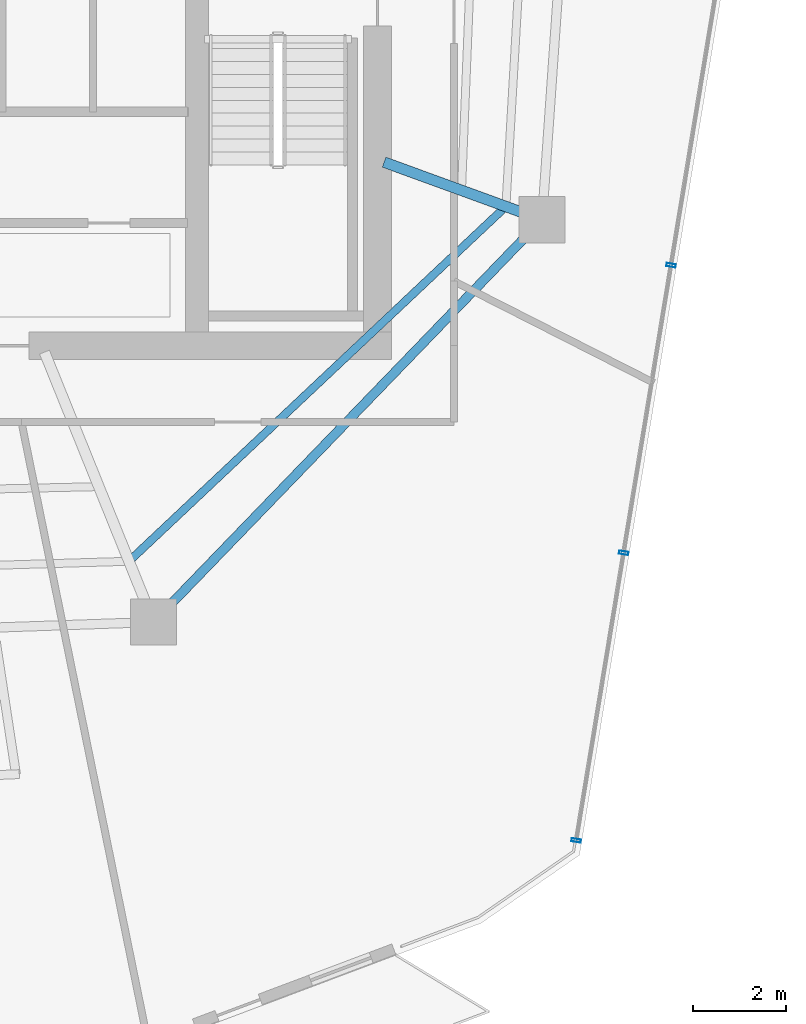
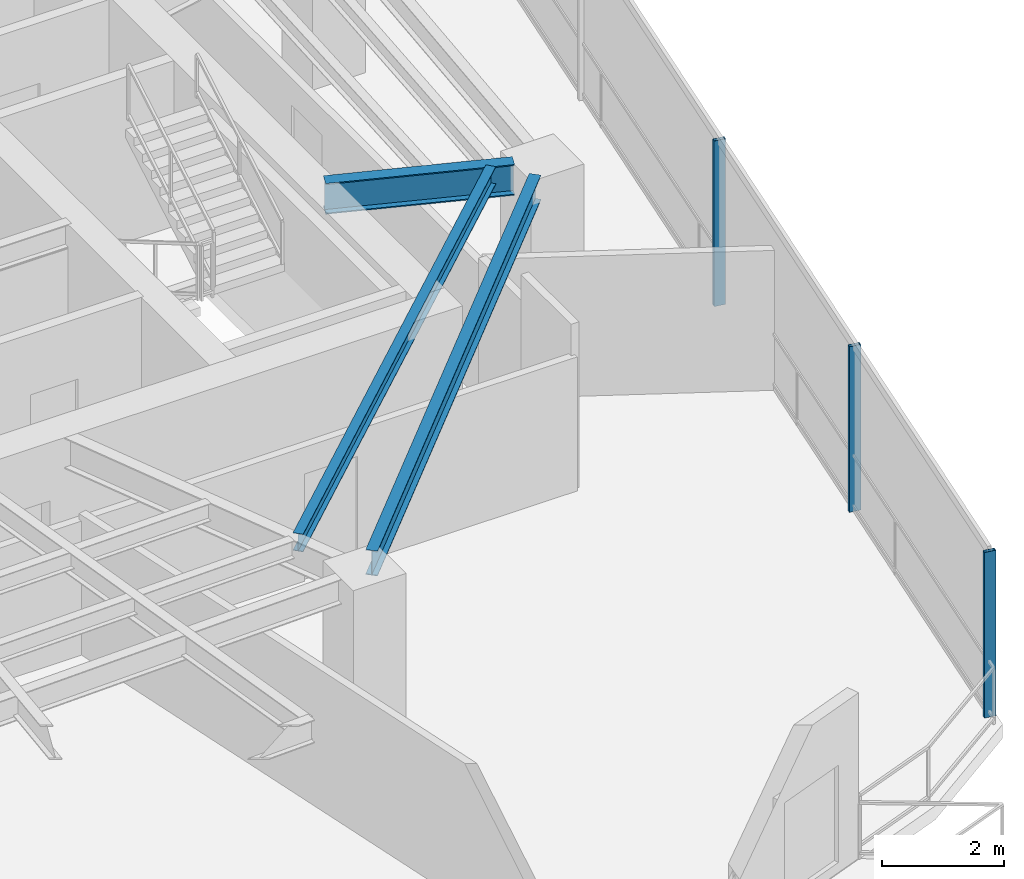
# One storey, part 7 of 19: 3 beams, 3 members, 1 element without a shape of its own.
"""IFC4 building model written with IfcOpenShell, lengths in metres."""

import ifcopenshell
import ifcopenshell.guid

model = None  # the IFC model being written
_history = None  # IfcOwnerHistory: only IFC2X3 demands one
_inside = {}  # id of a spatial element -> (the spatial element, [elements in it])
_under = {}  # id of a project, library or spatial element -> (it, [spatial elements below it])
_declared = {}  # id of a project -> (the project, [libraries it declares])
_typed = {}  # id of a type object -> (the type object, [elements of that type])
_made_of = {}  # id of a material, layer set ... -> (it, [elements and type objects made of it])


def new_model(schema):
    """Start an empty IFC model of exactly this schema.

    Asked for "IFC4X3", IfcOpenShell would pick the latest addendum, in which some entities
    have other attributes; the version numbers below select the first issue.
    IFC2X3 requires an IfcOwnerHistory on every rooted entity: one is made here for all.
    """
    global model, _history
    if schema == "IFC4X3":
        model = ifcopenshell.file(schema_version=(4, 3, 0, 0))
    else:
        model = ifcopenshell.file(schema=schema)
    _inside.clear()
    _under.clear()
    _declared.clear()
    _typed.clear()
    _made_of.clear()
    _history = None
    if model.schema == "IFC2X3":
        org = make("IfcOrganization", Name="unknown")
        user = make(
            "IfcPersonAndOrganization",
            ThePerson=make("IfcPerson", FamilyName="unknown"),
            TheOrganization=org,
        )
        app = make(
            "IfcApplication",
            ApplicationDeveloper=org,
            Version="unknown",
            ApplicationFullName="unknown",
            ApplicationIdentifier="unknown",
        )
        _history = make(
            "IfcOwnerHistory",
            OwningUser=user,
            OwningApplication=app,
            ChangeAction="ADDED",
            CreationDate=0,
        )
    return model


def make(cls, **values):
    """One entity of the class cls with the attributes given. An attribute that is None is left unset."""
    return model.create_entity(
        cls, **{name: value for name, value in values.items() if value is not None}
    )


def rooted(cls, **values):
    """An entity with a GlobalId (a new one), such as an element, a storey or a relation."""
    return make(cls, GlobalId=ifcopenshell.guid.new(), OwnerHistory=_history, **values)


def si_unit(unit_type, name, prefix=None):
    """IfcSIUnit, for example si_unit("LENGTHUNIT", "METRE", prefix="MILLI")."""
    return make("IfcSIUnit", UnitType=unit_type, Prefix=prefix, Name=name)


def assignment(units):
    """IfcUnitAssignment: the units of a project."""
    return None if units is None else make("IfcUnitAssignment", Units=units)


def point(xyz):
    """IfcCartesianPoint."""
    return None if xyz is None else make("IfcCartesianPoint", Coordinates=xyz)


def direction(xyz):
    """IfcDirection."""
    return None if xyz is None else make("IfcDirection", DirectionRatios=xyz)


def frame(location, z_axis=None, x_axis=None):
    """IfcAxis2Placement3D, a coordinate frame: its origin and axes. An axis left out is left unset."""
    return make(
        "IfcAxis2Placement3D",
        Location=point(location),
        Axis=direction(z_axis),
        RefDirection=direction(x_axis),
    )


def frame_2d(location, x_axis=None):
    """IfcAxis2Placement2D, a coordinate frame in the plane: its origin and x axis."""
    return make(
        "IfcAxis2Placement2D", Location=point(location), RefDirection=direction(x_axis)
    )


def origin():
    """The frame at (0, 0, 0) with its axes left unset."""
    return frame((0.0, 0.0, 0.0))


def origin_2d():
    """The frame at (0, 0) in the plane with its x axis left unset."""
    return frame_2d((0.0, 0.0))


def place(relative_to, where):
    """IfcLocalPlacement: puts the frame where relative to a parent placement (None: the world)."""
    return make(
        "IfcLocalPlacement", PlacementRelTo=relative_to, RelativePlacement=where
    )


def context(
    kind, dimensions, precision=None, world=None, true_north=None, identifier=None
):
    """IfcGeometricRepresentationContext, for example the 3D "Model" context."""
    return make(
        "IfcGeometricRepresentationContext",
        ContextIdentifier=identifier,
        ContextType=kind,
        CoordinateSpaceDimension=dimensions,
        Precision=precision,
        WorldCoordinateSystem=world,
        TrueNorth=true_north,
    )


def subcontext(parent, identifier, kind, view, scale=None):
    """IfcGeometricRepresentationSubContext, for example "Body" below "Model"."""
    return make(
        "IfcGeometricRepresentationSubContext",
        ContextIdentifier=identifier,
        ContextType=kind,
        ParentContext=parent,
        TargetScale=scale,
        TargetView=view,
    )


def project(units=None, contexts=None):
    """IfcProject with its units and contexts."""
    return rooted(
        "IfcProject",
        Name="project",
        RepresentationContexts=contexts,
        UnitsInContext=assignment(units),
    )


def spatial(cls, under=None, at=None, **own):
    """A site, building, storey or space (cls), placed at a placement, below another one or the project."""
    s = rooted(cls, ObjectPlacement=at, **own)
    if under is not None:
        _under.setdefault(under.id(), (under, []))[1].append(s)
    return s


def profile(cls, at=None, kind="AREA", **sizes):
    """A parametric profile (cls). Its sizes go by their IFC names, for example OverallWidth=200.0."""
    return make(cls, ProfileType=kind, Position=at, **sizes)


def hollow_rectangle(**sizes):
    """IfcRectangleHollowProfileDef."""
    return profile("IfcRectangleHollowProfileDef", **sizes)


def i_section(**sizes):
    """IfcIShapeProfileDef."""
    return profile("IfcIShapeProfileDef", **sizes)


def extrude(swept, where, along, depth):
    """IfcExtrudedAreaSolid: the profile swept, set in the frame where, extruded along a direction by depth."""
    return make(
        "IfcExtrudedAreaSolid",
        SweptArea=swept,
        Position=where,
        ExtrudedDirection=direction(along),
        Depth=depth,
    )


def shape(context_of_items, identifier, shape_type, items):
    """IfcShapeRepresentation: the items that make up one representation, for example the "Body"."""
    return make(
        "IfcShapeRepresentation",
        ContextOfItems=context_of_items,
        RepresentationIdentifier=identifier,
        RepresentationType=shape_type,
        Items=items,
    )


def material(Name=None, Category=None):
    """IfcMaterial."""
    return make("IfcMaterial", Name=Name, Category=Category)


def layer(
    of_material, thickness, ventilated=None, Name=None, Category=None, Priority=None
):
    """IfcMaterialLayer: one layer of a wall or slab, of a material (None: an air gap)."""
    return make(
        "IfcMaterialLayer",
        Material=of_material,
        LayerThickness=thickness,
        IsVentilated=ventilated,
        Name=Name,
        Category=Category,
        Priority=Priority,
    )


def layer_set(layers, Name=None):
    """IfcMaterialLayerSet."""
    return make("IfcMaterialLayerSet", MaterialLayers=layers, LayerSetName=Name)


def material_profile(
    of_material, cross_section, Name=None, Category=None, Priority=None
):
    """IfcMaterialProfile: a cross section and its material."""
    return make(
        "IfcMaterialProfile",
        Name=Name,
        Material=of_material,
        Profile=cross_section,
        Priority=Priority,
        Category=Category,
    )


def profile_set(profiles, Name=None, composite=None):
    """IfcMaterialProfileSet."""
    return make(
        "IfcMaterialProfileSet",
        Name=Name,
        MaterialProfiles=profiles,
        CompositeProfile=composite,
    )


def made_of(thing, what):
    """Note that an element or type object is made of a material, layer set ...; save() writes the relation."""
    if what is not None:
        _made_of.setdefault(what.id(), (what, []))[1].append(thing)
    return thing


def type_object(cls, material=None, **own):
    """A type object (cls), such as IfcWallType, which elements share."""
    return made_of(rooted(cls, **own), material)


def element(
    cls,
    number,
    at=None,
    inside=None,
    cuts=None,
    type_object=None,
    material=None,
    context=None,
    identifier="Body",
    shape_type=None,
    held_by="IfcProductDefinitionShape",
    body=None,
    shapes=None,
    **own,
):
    """One element of the class cls, such as IfcWall. Its Tag is "e" and its number.

    at: its placement. inside: the storey or other place that contains it. cuts: it is an
    opening in that element (IfcRelVoidsElement). A single representation is given by context,
    identifier, shape_type and body (its items); several are given by shapes. held_by: the class
    of the entity that holds the representations. save() writes the other relations.
    """
    e = rooted(cls, Tag="e%d" % number, ObjectPlacement=at, **own)
    if body is not None:
        shapes = [shape(context, identifier, shape_type, body)]
    if shapes is not None:
        e.Representation = make(held_by, Representations=shapes)
    if inside is not None:
        _inside.setdefault(inside.id(), (inside, []))[1].append(e)
    if cuts is not None:
        rooted(
            "IfcRelVoidsElement", RelatingBuildingElement=cuts, RelatedOpeningElement=e
        )
    if type_object is not None:
        _typed.setdefault(type_object.id(), (type_object, []))[1].append(e)
    return made_of(e, material)


def aggregate(whole, parts):
    """IfcRelAggregates: a whole, such as a stair, and the parts it consists of."""
    return rooted("IfcRelAggregates", RelatingObject=whole, RelatedObjects=parts)


def save(model, path):
    """Write the relations noted so far, then the file.

    IfcRelAggregates (storeys below a building ...), IfcRelContainedInSpatialStructure (elements
    in a storey), IfcRelDefinesByType, IfcRelAssociatesMaterial and IfcRelDeclares: one each for
    every whole, place, type object, material and project.
    """
    for whole, parts in _under.values():
        aggregate(whole, parts)
    for where, things in _inside.values():
        rooted(
            "IfcRelContainedInSpatialStructure",
            RelatedElements=things,
            RelatingStructure=where,
        )
    for kind, things in _typed.values():
        rooted("IfcRelDefinesByType", RelatedObjects=things, RelatingType=kind)
    for what, things in _made_of.values():
        rooted("IfcRelAssociatesMaterial", RelatedObjects=things, RelatingMaterial=what)
    for by, libraries in _declared.values():
        rooted("IfcRelDeclares", RelatingContext=by, RelatedDefinitions=libraries)
    model.write(path)


model = new_model("IFC4")

# Units and contexts
model_context = context("Model", 3, precision=1e-05, world=origin(), true_north=direction((0.0, 1.0)))
body_context = subcontext(model_context, "Body", "Model", "MODEL_VIEW")
ifc_project = project(units=[si_unit("LENGTHUNIT", "METRE"), si_unit("AREAUNIT", "SQUARE_METRE"), si_unit("VOLUMEUNIT", "CUBIC_METRE"), si_unit("PLANEANGLEUNIT", "RADIAN"), si_unit("MASSUNIT", "GRAM", prefix="KILO")], contexts=[model_context])

# Site, building, storey
site_placement = place(None, origin())
site = spatial("IfcSite", under=ifc_project, at=site_placement, CompositionType="ELEMENT")
building_placement = place(site_placement, origin())
building = spatial("IfcBuilding", under=site, at=building_placement, Name="Qarnah Convention Tower", CompositionType="ELEMENT")
storey_placement = place(building_placement, frame((0.0, 0.0, 143.699951171875)))
storey = spatial("IfcBuildingStorey", under=building, at=storey_placement, Name="L38", CompositionType="ELEMENT", Elevation=143.699951171875)

# Beams
ifc_material_1 = material(Name="Structural steel S355JR", Category="steel")
ifc_material_profile_1 = material_profile(ifc_material_1, i_section(OverallWidth=0.172119140625, OverallDepth=0.35595703125, WebThickness=0.007080078125, FlangeThickness=0.011962890625, at=origin_2d()), Name="W360X51")
ifc_profile_set_1 = profile_set([ifc_material_profile_1], Name="Structural steel S355JR")
beam_type_1 = type_object("IfcBeamType", Name="BM-JST-W360", PredefinedType="JOIST", material=ifc_profile_set_1)
beam_1_placement = place(storey_placement, frame((42.298095703125, 14.006103515625, 3.14208984375), z_axis=(0.728151110704, 0.685416632408, 0.0), x_axis=(-0.685416632408, 0.728151110704, 0.0)))
element("IfcBeam", 1, at=beam_1_placement, inside=storey, type_object=beam_type_1, Name="L38 joist BM-L38-SJST-08", PredefinedType="JOIST", context=body_context, shape_type="SweptSolid", body=[
    extrude(i_section(OverallWidth=0.172119140625, OverallDepth=0.35595703125, WebThickness=0.007080078125, FlangeThickness=0.011962890625, at=origin_2d()), origin(), (0.0, 0.0, 1.0), 10.99755859375),
])
ifc_material_profile_2 = material_profile(ifc_material_1, i_section(OverallWidth=0.22998046875, OverallDepth=0.617919921875, WebThickness=0.012939453125, FlangeThickness=0.02197265625, at=origin_2d()), Name="W610X140")
ifc_profile_set_2 = profile_set([ifc_material_profile_2], Name="Structural steel S355JR")
beam_type_2 = type_object("IfcBeamType", Name="BM-RAD-W610A", PredefinedType="BEAM", material=ifc_profile_set_2)
beam_2_placement = place(storey_placement, frame((47.740966796875, 22.56396484375, 3.010986328125), z_axis=(0.939610124669, -0.342246714549, 0.0), x_axis=(0.342246714549, 0.939610124669, 0.0)))
element("IfcBeam", 2, at=beam_2_placement, inside=storey, type_object=beam_type_2, Name="L38 beam BM-L38-RAD-09", PredefinedType="BEAM", context=body_context, shape_type="SweptSolid", body=[
    extrude(i_section(OverallWidth=0.22998046875, OverallDepth=0.617919921875, WebThickness=0.012939453125, FlangeThickness=0.02197265625, at=origin_2d()), origin(), (0.0, 0.0, 1.0), 3.15234375),
])
ifc_material_profile_3 = material_profile(ifc_material_1, i_section(OverallWidth=0.199951171875, OverallDepth=0.5, WebThickness=0.010009765625, FlangeThickness=0.01611328125, at=origin_2d()), Name="IPE500")
ifc_profile_set_3 = profile_set([ifc_material_profile_3], Name="Structural steel S355JR")
beam_type_3 = type_object("IfcBeamType", Name="BM-SPN-IPE500", PredefinedType="SPANDREL", material=ifc_profile_set_3)
beam_3_placement = place(storey_placement, frame((43.10302734375, 12.98291015625, 3.070068359375), z_axis=(0.694605503013, 0.719390850084, 0.0), x_axis=(-0.719390850084, 0.694605503013, 0.0)))
element("IfcBeam", 3, at=beam_3_placement, inside=storey, type_object=beam_type_3, Name="L38 spandrel BM-L38-SPN-08", PredefinedType="SPANDREL", context=body_context, shape_type="SweptSolid", body=[
    extrude(i_section(OverallWidth=0.199951171875, OverallDepth=0.5, WebThickness=0.010009765625, FlangeThickness=0.01611328125, at=origin_2d()), origin(), (0.0, 0.0, 1.0), 11.10107421875),
])

# Curtain wall, members
ifc_material_2 = material(Name="Tempered Low-E dark glass", Category="glass")
ifc_layer = layer(ifc_material_2, 0.172119140625)
ifc_layer_set = layer_set([ifc_layer], Name="Tempered Low-E dark glass")
curtain_wall_type = type_object("IfcCurtainWallType", Name="CWS-03", PredefinedType="NOTDEFINED", material=ifc_layer_set)
curtain_wall_placement = place(storey_placement, origin())
curtain_wall = element("IfcCurtainWall", 4, at=curtain_wall_placement, inside=storey, type_object=curtain_wall_type, Name="L38 unitised curtain wall CW-L38-F3", PredefinedType="NOTDEFINED")
ifc_material_3 = material(Name="Black anodised aluminium", Category="aluminium")
ifc_material_profile_4 = material_profile(ifc_material_3, hollow_rectangle(XDim=0.070068359375, YDim=0.199951171875, WallThickness=0.0048828125, at=origin_2d()), Name="MUL-70X200")
ifc_profile_set_4 = profile_set([ifc_material_profile_4], Name="Black anodised aluminium")
member_type = type_object("IfcMemberType", Name="MUL-T3", PredefinedType="MULLION", material=ifc_profile_set_4)
member_1_placement = place(storey_placement, frame((53.93994140625, 20.336669921875, 0.0), z_axis=(0.0, 0.0, 1.0), x_axis=(-0.162652354026, -0.986683440486, 0.0)))
member_1 = element("IfcMember", 5, at=member_1_placement, type_object=member_type, Name="CW-L38-F3 mullion 4", PredefinedType="MULLION", context=body_context, shape_type="SweptSolid", body=[
    extrude(hollow_rectangle(XDim=0.070068359375, YDim=0.199951171875, WallThickness=0.0048828125, at=origin_2d()), origin(), (0.0, 0.0, 1.0), 3.320068359375),
])
member_2_placement = place(storey_placement, frame((52.916015625, 14.124755859375, 0.0), z_axis=(0.0, 0.0, 1.0), x_axis=(-0.162652354026, -0.986683440486, 0.0)))
member_2 = element("IfcMember", 6, at=member_2_placement, type_object=member_type, Name="CW-L38-F3 mullion 5", PredefinedType="MULLION", context=body_context, shape_type="SweptSolid", body=[
    extrude(hollow_rectangle(XDim=0.070068359375, YDim=0.199951171875, WallThickness=0.0048828125, at=origin_2d()), origin(), (0.0, 0.0, 1.0), 3.320068359375),
])
member_3_placement = place(storey_placement, frame((51.89208984375, 7.9130859375, 0.0), z_axis=(0.0, 0.0, 1.0), x_axis=(-0.162652354026, -0.986683440486, 0.0)))
member_3 = element("IfcMember", 7, at=member_3_placement, type_object=member_type, Name="CW-L38-F3 mullion 6", PredefinedType="MULLION", context=body_context, shape_type="SweptSolid", body=[
    extrude(hollow_rectangle(XDim=0.070068359375, YDim=0.199951171875, WallThickness=0.0048828125, at=origin_2d()), origin(), (0.0, 0.0, 1.0), 3.320068359375),
])
aggregate(curtain_wall, [member_1, member_2, member_3])

save(model, "model.ifc")
